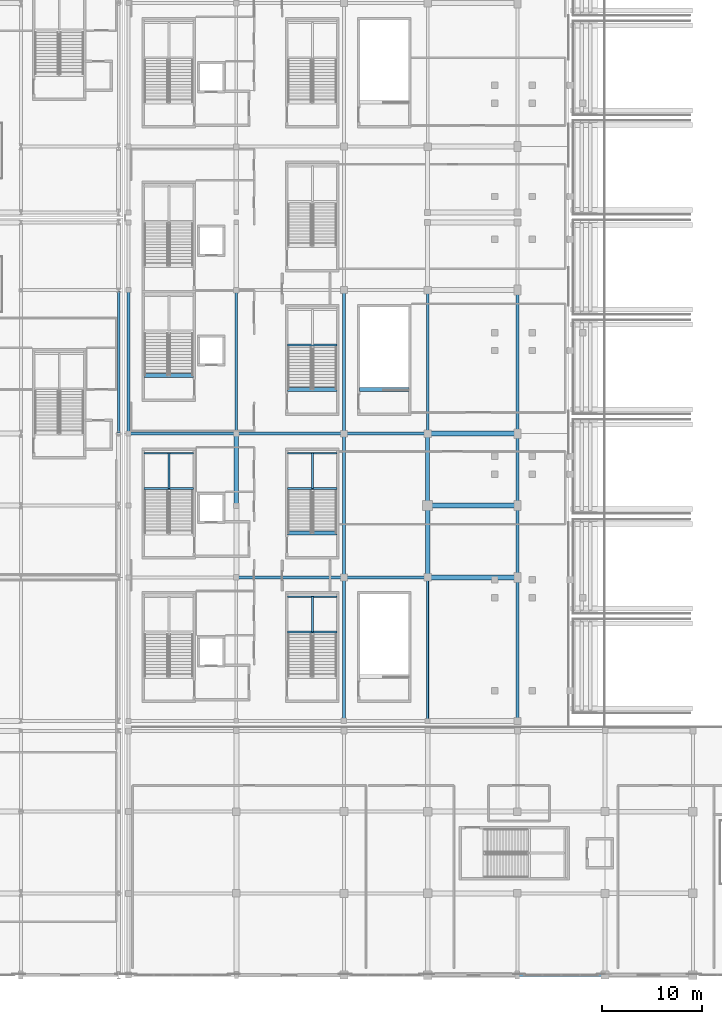
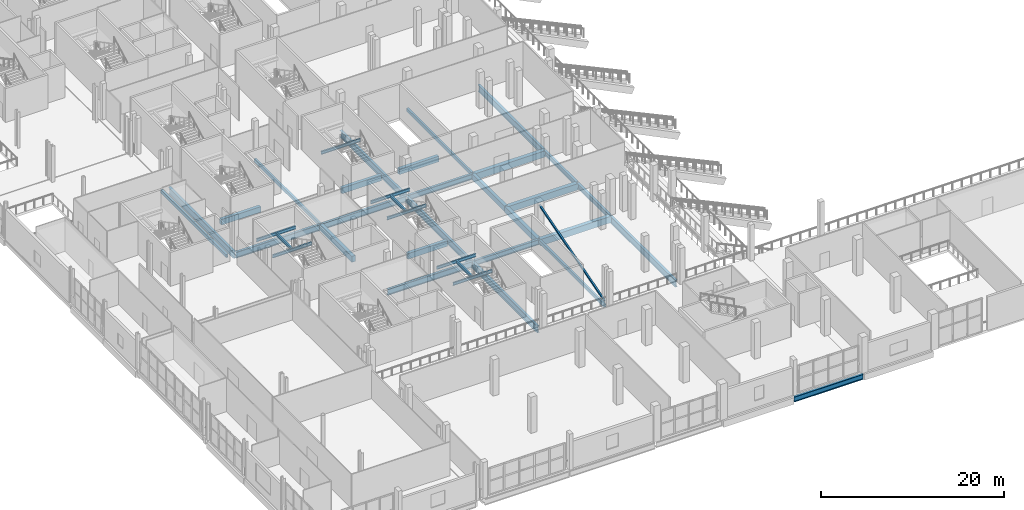
# One storey, part 21 of 129: 38 beams, 1 member.
"""IFC4 building model written with IfcOpenShell, lengths in metres."""

from ifc_helpers import new_model, si_unit, direction, frame, origin, origin_2d, place, context, subcontext, project, spatial, rectangle, hollow_rectangle, i_section, extrude, material, material_profile, profile_set, type_object, element, save


model = new_model("IFC4")

# Units and contexts
model_context = context("Model", 3, precision=1e-05, world=origin(), true_north=direction((0.0, 1.0)))
body_context = subcontext(model_context, "Body", "Model", "MODEL_VIEW")
ifc_project = project(units=[si_unit("LENGTHUNIT", "METRE"), si_unit("AREAUNIT", "SQUARE_METRE"), si_unit("VOLUMEUNIT", "CUBIC_METRE"), si_unit("PLANEANGLEUNIT", "RADIAN"), si_unit("MASSUNIT", "GRAM", prefix="KILO")], contexts=[model_context])

# Site, building, storey
site_placement = place(None, origin())
site = spatial("IfcSite", under=ifc_project, at=site_placement, CompositionType="ELEMENT")
building_placement = place(site_placement, origin())
building = spatial("IfcBuilding", under=site, at=building_placement, Name="Koshinbarg Plaza Stadium", CompositionType="ELEMENT")
storey_placement = place(building_placement, frame((0.0, 0.0, 5.39990234375)))
storey = spatial("IfcBuildingStorey", under=building, at=storey_placement, Name="L01", CompositionType="ELEMENT", Elevation=5.39990234375)

# Beams
ifc_material_1 = material(Name="Concrete C40/50", Category="concrete")
ifc_material_profile_1 = material_profile(ifc_material_1, rectangle(XDim=0.39990234375, YDim=0.75, at=origin_2d()), Name="RC 400x750")
ifc_profile_set_1 = profile_set([ifc_material_profile_1], Name="Concrete C40/50")
beam_type_1 = type_object("IfcBeamType", Name="BM-RCG-03", PredefinedType="USERDEFINED", material=ifc_profile_set_1)
beam_1_placement = place(storey_placement, frame((54.60009765625, 47.159912109375, -0.69482421875), z_axis=(0.0, 1.0, 0.0), x_axis=(-1.0, 0.0, 0.0)))
element("IfcBeam", 1, at=beam_1_placement, inside=storey, type_object=beam_type_1, Name="L01 Y girder 8/G-H", ObjectType="GIRDER", PredefinedType="USERDEFINED", context=body_context, shape_type="SweptSolid", body=[
    extrude(rectangle(XDim=0.39990234375, YDim=0.75, at=origin_2d()), origin(), (0.0, 0.0, 1.0), 7.080078125),
])
beam_2_placement = place(storey_placement, frame((26.14990234375, 60.159912109375, -0.375), z_axis=(1.0, 0.0, 0.0), x_axis=(0.0, 1.0, 0.0)))
element("IfcBeam", 2, at=beam_2_placement, inside=storey, type_object=beam_type_1, Name="L01 stair landing header beam C03", ObjectType="GIRDER", PredefinedType="USERDEFINED", context=body_context, shape_type="SweptSolid", body=[
    extrude(rectangle(XDim=0.39990234375, YDim=0.75, at=origin_2d()), origin(), (0.0, 0.0, 1.0), 4.97021484375),
])
for number, where, z_axis, x_axis, name in (
    (3, (40.550048828125, 44.360107421875, -0.375), (1.0, 0.0, 0.0), (0.0, 1.0, 0.0), "L01 stair landing header beam VX02"),
    (4, (40.550048828125, 58.760009765625, -0.375), (1.0, 0.0, 0.0), (0.0, 1.0, 0.0), "L01 stair landing header beam VX03"),
    (5, (47.75, 58.760009765625, -0.375), (1.0, 0.0, 0.0), (0.0, 1.0, 0.0), "L01 stair landing header beam VL02"),
):
    element("IfcBeam", number, at=place(storey_placement, frame(where, z_axis=z_axis, x_axis=x_axis)), inside=storey, type_object=beam_type_1, Name=name, ObjectType="GIRDER", PredefinedType="USERDEFINED", context=body_context, shape_type="SweptSolid", body=[
        extrude(rectangle(XDim=0.39990234375, YDim=0.75, at=origin_2d()), origin(), (0.0, 0.0, 1.0), 4.969970703125),
    ])
ifc_material_profile_2 = material_profile(ifc_material_1, rectangle(XDim=0.449951171875, YDim=0.800048828125, at=origin_2d()), Name="RC 450x800")
ifc_profile_set_2 = profile_set([ifc_material_profile_2], Name="Concrete C40/50")
beam_type_2 = type_object("IfcBeamType", Name="BM-RCG-04", PredefinedType="USERDEFINED", material=ifc_profile_set_2)
for number, where, z_axis, x_axis, name in (
    (6, (35.39990234375, 47.159912109375, -0.719970703125), (0.0, 1.0, 0.0), (-1.0, 0.0, 0.0), "L01 Y girder 6/G-H"),
    (7, (54.60009765625, 39.9599609375, -0.719970703125), (0.0, 1.0, 0.0), (-1.0, 0.0, 0.0), "L01 Y girder 8/F-G"),
):
    element("IfcBeam", number, at=place(storey_placement, frame(where, z_axis=z_axis, x_axis=x_axis)), inside=storey, type_object=beam_type_2, Name=name, ObjectType="GIRDER", PredefinedType="USERDEFINED", context=body_context, shape_type="SweptSolid", body=[
        extrude(rectangle(XDim=0.449951171875, YDim=0.800048828125, at=origin_2d()), origin(), (0.0, 0.0, 1.0), 7.080078125),
    ])
ifc_material_profile_3 = material_profile(ifc_material_1, rectangle(XDim=0.5, YDim=0.85009765625, at=origin_2d()), Name="RC 500x850")
ifc_profile_set_3 = profile_set([ifc_material_profile_3], Name="Concrete C40/50")
beam_type_3 = type_object("IfcBeamType", Name="BM-RCG-05", PredefinedType="USERDEFINED", material=ifc_profile_set_3)
for number, where, z_axis, x_axis, name in (
    (8, (54.659912109375, 39.89990234375, -0.744873046875), (1.0, 0.0, 0.0), (0.0, 1.0, 0.0), "L01 X girder F/8-9"),
    (9, (54.659912109375, 47.10009765625, -0.744873046875), (1.0, 0.0, 0.0), (0.0, 1.0, 0.0), "L01 X girder G/8-9"),
    (10, (54.659912109375, 54.300048828125, -0.744873046875), (1.0, 0.0, 0.0), (0.0, 1.0, 0.0), "L01 X girder H/8-9"),
):
    element("IfcBeam", number, at=place(storey_placement, frame(where, z_axis=z_axis, x_axis=x_axis)), inside=storey, type_object=beam_type_3, Name=name, ObjectType="GIRDER", PredefinedType="USERDEFINED", context=body_context, shape_type="SweptSolid", body=[
        extrude(rectangle(XDim=0.5, YDim=0.85009765625, at=origin_2d()), origin(), (0.0, 0.0, 1.0), 8.880126953125),
    ])
ifc_material_2 = material(Name="Steel S355", Category="steel")
ifc_material_profile_4 = material_profile(ifc_material_2, i_section(OverallWidth=0.179931640625, OverallDepth=0.39990234375, WebThickness=0.008544921875, FlangeThickness=0.013427734375, at=origin_2d()), Name="IPE 400")
ifc_profile_set_4 = profile_set([ifc_material_profile_4], Name="Steel S355")
beam_type_4 = type_object("IfcBeamType", Name="BM-SBM-01", PredefinedType="BEAM", material=ifc_profile_set_4)
for number, where, z_axis, x_axis, name in (
    (11, (26.14990234375, 48.81005859375, 1.880126953125), (1.0, 0.0, 0.0), (0.0, 1.0, 0.0), "L01 Protected Exit Stair C02 landing trimmer beam 1"),
    (12, (26.14990234375, 52.35009765625, 1.880126953125), (1.0, 0.0, 0.0), (0.0, 1.0, 0.0), "L01 Protected Exit Stair C02 landing trimmer beam 2"),
):
    element("IfcBeam", number, at=place(storey_placement, frame(where, z_axis=z_axis, x_axis=x_axis)), inside=storey, type_object=beam_type_4, Name=name, PredefinedType="BEAM", context=body_context, shape_type="SweptSolid", body=[
        extrude(i_section(OverallWidth=0.179931640625, OverallDepth=0.39990234375, WebThickness=0.008544921875, FlangeThickness=0.013427734375, at=origin_2d()), origin(), (0.0, 0.0, 1.0), 4.97021484375),
    ])
beam_3_placement = place(storey_placement, frame((28.635009765625, 48.81005859375, 1.880126953125), z_axis=(0.0, 1.0, 0.0), x_axis=(-1.0, 0.0, 0.0)))
element("IfcBeam", 13, at=beam_3_placement, inside=storey, type_object=beam_type_4, Name="L01 Protected Exit Stair C02 landing trimmer beam 3", PredefinedType="BEAM", context=body_context, shape_type="SweptSolid", body=[
    extrude(i_section(OverallWidth=0.179931640625, OverallDepth=0.39990234375, WebThickness=0.008544921875, FlangeThickness=0.013427734375, at=origin_2d()), origin(), (0.0, 0.0, 1.0), 3.5400390625),
])
for number, where, z_axis, x_axis, name in (
    (14, (40.550048828125, 34.409912109375, 1.880126953125), (1.0, 0.0, 0.0), (0.0, 1.0, 0.0), "L01 Upper Vomitory Stair VX01 landing trimmer beam 1"),
    (15, (40.550048828125, 37.949951171875, 1.880126953125), (1.0, 0.0, 0.0), (0.0, 1.0, 0.0), "L01 Upper Vomitory Stair VX01 landing trimmer beam 2"),
):
    element("IfcBeam", number, at=place(storey_placement, frame(where, z_axis=z_axis, x_axis=x_axis)), inside=storey, type_object=beam_type_4, Name=name, PredefinedType="BEAM", context=body_context, shape_type="SweptSolid", body=[
        extrude(i_section(OverallWidth=0.179931640625, OverallDepth=0.39990234375, WebThickness=0.008544921875, FlangeThickness=0.013427734375, at=origin_2d()), origin(), (0.0, 0.0, 1.0), 4.969970703125),
    ])
beam_4_placement = place(storey_placement, frame((43.034912109375, 34.409912109375, 1.880126953125), z_axis=(0.0, 1.0, 0.0), x_axis=(-1.0, 0.0, 0.0)))
element("IfcBeam", 16, at=beam_4_placement, inside=storey, type_object=beam_type_4, Name="L01 Upper Vomitory Stair VX01 landing trimmer beam 3", PredefinedType="BEAM", context=body_context, shape_type="SweptSolid", body=[
    extrude(i_section(OverallWidth=0.179931640625, OverallDepth=0.39990234375, WebThickness=0.008544921875, FlangeThickness=0.013427734375, at=origin_2d()), origin(), (0.0, 0.0, 1.0), 3.5400390625),
])
for number, where, z_axis, x_axis, name in (
    (17, (40.550048828125, 48.81005859375, 1.880126953125), (1.0, 0.0, 0.0), (0.0, 1.0, 0.0), "L01 Upper Vomitory Stair VX02 landing trimmer beam 1"),
    (18, (40.550048828125, 52.35009765625, 1.880126953125), (1.0, 0.0, 0.0), (0.0, 1.0, 0.0), "L01 Upper Vomitory Stair VX02 landing trimmer beam 2"),
):
    element("IfcBeam", number, at=place(storey_placement, frame(where, z_axis=z_axis, x_axis=x_axis)), inside=storey, type_object=beam_type_4, Name=name, PredefinedType="BEAM", context=body_context, shape_type="SweptSolid", body=[
        extrude(i_section(OverallWidth=0.179931640625, OverallDepth=0.39990234375, WebThickness=0.008544921875, FlangeThickness=0.013427734375, at=origin_2d()), origin(), (0.0, 0.0, 1.0), 4.969970703125),
    ])
beam_5_placement = place(storey_placement, frame((43.034912109375, 48.81005859375, 1.880126953125), z_axis=(0.0, 1.0, 0.0), x_axis=(-1.0, 0.0, 0.0)))
element("IfcBeam", 19, at=beam_5_placement, inside=storey, type_object=beam_type_4, Name="L01 Upper Vomitory Stair VX02 landing trimmer beam 3", PredefinedType="BEAM", context=body_context, shape_type="SweptSolid", body=[
    extrude(i_section(OverallWidth=0.179931640625, OverallDepth=0.39990234375, WebThickness=0.008544921875, FlangeThickness=0.013427734375, at=origin_2d()), origin(), (0.0, 0.0, 1.0), 3.5400390625),
])
beam_6_placement = place(storey_placement, frame((40.550048828125, 63.2099609375, 1.880126953125), z_axis=(1.0, 0.0, 0.0), x_axis=(0.0, 1.0, 0.0)))
element("IfcBeam", 20, at=beam_6_placement, inside=storey, type_object=beam_type_4, Name="L01 Upper Vomitory Stair VX03 landing trimmer beam 1", PredefinedType="BEAM", context=body_context, shape_type="SweptSolid", body=[
    extrude(i_section(OverallWidth=0.179931640625, OverallDepth=0.39990234375, WebThickness=0.008544921875, FlangeThickness=0.013427734375, at=origin_2d()), origin(), (0.0, 0.0, 1.0), 4.969970703125),
])
ifc_material_profile_5 = material_profile(ifc_material_2, i_section(OverallWidth=0.300048828125, OverallDepth=0.60009765625, WebThickness=0.015380859375, FlangeThickness=0.030029296875, at=origin_2d()), Name="HEB 600")
ifc_profile_set_5 = profile_set([ifc_material_profile_5], Name="Steel S355")
beam_type_5 = type_object("IfcBeamType", Name="BM-SGIR-02", PredefinedType="USERDEFINED", material=ifc_profile_set_5)
for number, where, z_axis, x_axis, name in (
    (21, (63.60009765625, 39.9599609375, -0.619873046875), (0.0, 1.0, 0.0), (-1.0, 0.0, 0.0), "L01 Y girder 9/F-G"),
    (22, (63.60009765625, 47.159912109375, -0.619873046875), (0.0, 1.0, 0.0), (-1.0, 0.0, 0.0), "L01 Y girder 9/G-H"),
):
    element("IfcBeam", number, at=place(storey_placement, frame(where, z_axis=z_axis, x_axis=x_axis)), inside=storey, type_object=beam_type_5, Name=name, ObjectType="GIRDER", PredefinedType="USERDEFINED", context=body_context, shape_type="SweptSolid", body=[
        extrude(i_section(OverallWidth=0.300048828125, OverallDepth=0.60009765625, WebThickness=0.015380859375, FlangeThickness=0.030029296875, at=origin_2d()), origin(), (0.0, 0.0, 1.0), 7.080078125),
    ])
ifc_material_profile_6 = material_profile(ifc_material_2, i_section(OverallWidth=0.300048828125, OverallDepth=0.699951171875, WebThickness=0.01708984375, FlangeThickness=0.031982421875, at=origin_2d()), Name="HEB 700")
ifc_profile_set_6 = profile_set([ifc_material_profile_6], Name="Steel S355")
beam_type_6 = type_object("IfcBeamType", Name="BM-SGIR-03", PredefinedType="USERDEFINED", material=ifc_profile_set_6)
beam_7_placement = place(storey_placement, frame((63.659912109375, 0.0, -0.669921875), z_axis=(1.0, 0.0, 0.0), x_axis=(0.0, 1.0, 0.0)))
element("IfcBeam", 23, at=beam_7_placement, inside=storey, type_object=beam_type_6, Name="L01 X girder A/9-10", ObjectType="GIRDER", PredefinedType="USERDEFINED", context=body_context, shape_type="SweptSolid", body=[
    extrude(i_section(OverallWidth=0.300048828125, OverallDepth=0.699951171875, WebThickness=0.01708984375, FlangeThickness=0.031982421875, at=origin_2d()), origin(), (0.0, 0.0, 1.0), 8.68017578125),
])
for number, where, z_axis, x_axis, name in (
    (24, (46.260009765625, 39.89990234375, -0.669921875), (1.0, 0.0, 0.0), (0.0, 1.0, 0.0), "L01 X girder F/7-8"),
    (25, (46.260009765625, 54.300048828125, -0.669921875), (1.0, 0.0, 0.0), (0.0, 1.0, 0.0), "L01 X girder H/7-8"),
):
    element("IfcBeam", number, at=place(storey_placement, frame(where, z_axis=z_axis, x_axis=x_axis)), inside=storey, type_object=beam_type_6, Name=name, ObjectType="GIRDER", PredefinedType="USERDEFINED", context=body_context, shape_type="SweptSolid", body=[
        extrude(i_section(OverallWidth=0.300048828125, OverallDepth=0.699951171875, WebThickness=0.01708984375, FlangeThickness=0.031982421875, at=origin_2d()), origin(), (0.0, 0.0, 1.0), 8.280029296875),
    ])
ifc_material_profile_7 = material_profile(ifc_material_2, i_section(OverallWidth=0.300048828125, OverallDepth=0.800048828125, WebThickness=0.017578125, FlangeThickness=0.032958984375, at=origin_2d()), Name="HEB 800")
ifc_profile_set_7 = profile_set([ifc_material_profile_7], Name="Steel S355")
beam_type_7 = type_object("IfcBeamType", Name="BM-SGIR-04", PredefinedType="USERDEFINED", material=ifc_profile_set_7)
beam_8_placement = place(storey_placement, frame((35.4599609375, 39.89990234375, -0.719970703125), z_axis=(1.0, 0.0, 0.0), x_axis=(0.0, 1.0, 0.0)))
element("IfcBeam", 26, at=beam_8_placement, inside=storey, type_object=beam_type_7, Name="L01 X girder F/6-7", ObjectType="GIRDER", PredefinedType="USERDEFINED", context=body_context, shape_type="SweptSolid", body=[
    extrude(i_section(OverallWidth=0.300048828125, OverallDepth=0.800048828125, WebThickness=0.017578125, FlangeThickness=0.032958984375, at=origin_2d()), origin(), (0.0, 0.0, 1.0), 10.679931640625),
])
beam_9_placement = place(storey_placement, frame((24.659912109375, 54.300048828125, -0.719970703125), z_axis=(1.0, 0.0, 0.0), x_axis=(0.0, 1.0, 0.0)))
element("IfcBeam", 27, at=beam_9_placement, inside=storey, type_object=beam_type_7, Name="L01 X girder H/5-6", ObjectType="GIRDER", PredefinedType="USERDEFINED", context=body_context, shape_type="SweptSolid", body=[
    extrude(i_section(OverallWidth=0.300048828125, OverallDepth=0.800048828125, WebThickness=0.017578125, FlangeThickness=0.032958984375, at=origin_2d()), origin(), (0.0, 0.0, 1.0), 10.68017578125),
])
beam_10_placement = place(storey_placement, frame((35.4599609375, 54.300048828125, -0.719970703125), z_axis=(1.0, 0.0, 0.0), x_axis=(0.0, 1.0, 0.0)))
element("IfcBeam", 28, at=beam_10_placement, inside=storey, type_object=beam_type_7, Name="L01 X girder H/6-7", ObjectType="GIRDER", PredefinedType="USERDEFINED", context=body_context, shape_type="SweptSolid", body=[
    extrude(i_section(OverallWidth=0.300048828125, OverallDepth=0.800048828125, WebThickness=0.017578125, FlangeThickness=0.032958984375, at=origin_2d()), origin(), (0.0, 0.0, 1.0), 10.679931640625),
])
ifc_material_profile_8 = material_profile(ifc_material_2, i_section(OverallWidth=0.300048828125, OverallDepth=0.89990234375, WebThickness=0.0185546875, FlangeThickness=0.034912109375, at=origin_2d()), Name="HEB 900")
ifc_profile_set_8 = profile_set([ifc_material_profile_8], Name="Steel S355")
beam_type_8 = type_object("IfcBeamType", Name="BM-SGIR-05", PredefinedType="USERDEFINED", material=ifc_profile_set_8)
beam_11_placement = place(storey_placement, frame((24.60009765625, 54.360107421875, -0.77001953125), z_axis=(0.0, 1.0, 0.0), x_axis=(-1.0, 0.0, 0.0)))
element("IfcBeam", 29, at=beam_11_placement, inside=storey, type_object=beam_type_8, Name="L01 Y girder 5/H-J", ObjectType="GIRDER", PredefinedType="USERDEFINED", context=body_context, shape_type="SweptSolid", body=[
    extrude(i_section(OverallWidth=0.300048828125, OverallDepth=0.89990234375, WebThickness=0.0185546875, FlangeThickness=0.034912109375, at=origin_2d()), origin(), (0.0, 0.0, 1.0), 14.27978515625),
])
for number, where, z_axis, x_axis, name in (
    (30, (46.199951171875, 25.56005859375, -0.77001953125), (0.0, 1.0, 0.0), (-1.0, 0.0, 0.0), "L01 Y girder 7/E-F"),
    (31, (46.199951171875, 39.9599609375, -0.77001953125), (0.0, 1.0, 0.0), (-1.0, 0.0, 0.0), "L01 Y girder 7/F-H"),
):
    element("IfcBeam", number, at=place(storey_placement, frame(where, z_axis=z_axis, x_axis=x_axis)), inside=storey, type_object=beam_type_8, Name=name, ObjectType="GIRDER", PredefinedType="USERDEFINED", context=body_context, shape_type="SweptSolid", body=[
        extrude(i_section(OverallWidth=0.300048828125, OverallDepth=0.89990234375, WebThickness=0.0185546875, FlangeThickness=0.034912109375, at=origin_2d()), origin(), (0.0, 0.0, 1.0), 14.280029296875),
    ])
beam_12_placement = place(storey_placement, frame((46.199951171875, 54.360107421875, -0.77001953125), z_axis=(0.0, 1.0, 0.0), x_axis=(-1.0, 0.0, 0.0)))
element("IfcBeam", 32, at=beam_12_placement, inside=storey, type_object=beam_type_8, Name="L01 Y girder 7/H-J", ObjectType="GIRDER", PredefinedType="USERDEFINED", context=body_context, shape_type="SweptSolid", body=[
    extrude(i_section(OverallWidth=0.300048828125, OverallDepth=0.89990234375, WebThickness=0.0185546875, FlangeThickness=0.034912109375, at=origin_2d()), origin(), (0.0, 0.0, 1.0), 14.27978515625),
])
beam_13_placement = place(storey_placement, frame((63.60009765625, 25.56005859375, -0.77001953125), z_axis=(0.0, 1.0, 0.0), x_axis=(-1.0, 0.0, 0.0)))
element("IfcBeam", 33, at=beam_13_placement, inside=storey, type_object=beam_type_8, Name="L01 Y girder 9/E-F", ObjectType="GIRDER", PredefinedType="USERDEFINED", context=body_context, shape_type="SweptSolid", body=[
    extrude(i_section(OverallWidth=0.300048828125, OverallDepth=0.89990234375, WebThickness=0.0185546875, FlangeThickness=0.034912109375, at=origin_2d()), origin(), (0.0, 0.0, 1.0), 14.280029296875),
])
beam_14_placement = place(storey_placement, frame((63.60009765625, 54.360107421875, -0.77001953125), z_axis=(0.0, 1.0, 0.0), x_axis=(-1.0, 0.0, 0.0)))
element("IfcBeam", 34, at=beam_14_placement, inside=storey, type_object=beam_type_8, Name="L01 Y girder 9/H-J", ObjectType="GIRDER", PredefinedType="USERDEFINED", context=body_context, shape_type="SweptSolid", body=[
    extrude(i_section(OverallWidth=0.300048828125, OverallDepth=0.89990234375, WebThickness=0.0185546875, FlangeThickness=0.034912109375, at=origin_2d()), origin(), (0.0, 0.0, 1.0), 14.27978515625),
])
ifc_material_profile_9 = material_profile(ifc_material_2, hollow_rectangle(XDim=0.25, YDim=0.449951171875, WallThickness=0.01611328125, at=origin_2d()), Name="RHS 450x250x16")
ifc_profile_set_9 = profile_set([ifc_material_profile_9], Name="Steel S355")
beam_type_9 = type_object("IfcBeamType", Name="BM-SGIR-06", PredefinedType="USERDEFINED", material=ifc_profile_set_9)
for number, where, z_axis, x_axis, name in (
    (35, (23.60009765625, 54.360107421875, -0.544921875), (0.0, 1.0, 0.0), (-1.0, 0.0, 0.0), "L01 Y girder 4/H-J"),
    (36, (35.39990234375, 54.360107421875, -0.544921875), (0.0, 1.0, 0.0), (-1.0, 0.0, 0.0), "L01 Y girder 6/H-J"),
):
    element("IfcBeam", number, at=place(storey_placement, frame(where, z_axis=z_axis, x_axis=x_axis)), inside=storey, type_object=beam_type_9, Name=name, ObjectType="GIRDER", PredefinedType="USERDEFINED", context=body_context, shape_type="SweptSolid", body=[
        extrude(hollow_rectangle(XDim=0.25, YDim=0.449951171875, WallThickness=0.01611328125, at=origin_2d()), origin(), (0.0, 0.0, 1.0), 14.27978515625),
    ])
beam_15_placement = place(storey_placement, frame((54.60009765625, 25.56005859375, -0.544921875), z_axis=(0.0, 1.0, 0.0), x_axis=(-1.0, 0.0, 0.0)))
element("IfcBeam", 37, at=beam_15_placement, inside=storey, type_object=beam_type_9, Name="L01 Y girder 8/E-F", ObjectType="GIRDER", PredefinedType="USERDEFINED", context=body_context, shape_type="SweptSolid", body=[
    extrude(hollow_rectangle(XDim=0.25, YDim=0.449951171875, WallThickness=0.01611328125, at=origin_2d()), origin(), (0.0, 0.0, 1.0), 14.280029296875),
])
beam_16_placement = place(storey_placement, frame((54.60009765625, 54.360107421875, -0.544921875), z_axis=(0.0, 1.0, 0.0), x_axis=(-1.0, 0.0, 0.0)))
element("IfcBeam", 38, at=beam_16_placement, inside=storey, type_object=beam_type_9, Name="L01 Y girder 8/H-J", ObjectType="GIRDER", PredefinedType="USERDEFINED", context=body_context, shape_type="SweptSolid", body=[
    extrude(hollow_rectangle(XDim=0.25, YDim=0.449951171875, WallThickness=0.01611328125, at=origin_2d()), origin(), (0.0, 0.0, 1.0), 14.27978515625),
])

# Member
ifc_material_profile_10 = material_profile(ifc_material_2, hollow_rectangle(XDim=0.199951171875, YDim=0.199951171875, WallThickness=0.010009765625, at=origin_2d()), Name="SHS 200x200x10")
ifc_profile_set_10 = profile_set([ifc_material_profile_10], Name="Steel S355")
member_type = type_object("IfcMemberType", Name="MB-BRACE-06", PredefinedType="BRACE", material=ifc_profile_set_10)
member_placement = place(storey_placement, frame((54.60009765625, 25.580078125, 0.050048828125), z_axis=(0.0, 0.960057681506, 0.279802158999), x_axis=(-1.0, 0.0, 0.0)))
element("IfcMember", 39, at=member_placement, inside=storey, type_object=member_type, Name="L01 lateral frame brace 5", PredefinedType="BRACE", context=body_context, shape_type="SweptSolid", body=[
    extrude(hollow_rectangle(XDim=0.199951171875, YDim=0.199951171875, WallThickness=0.010009765625, at=origin_2d()), origin(), (0.0, 0.0, 1.0), 14.83251953125),
])

save(model, "model.ifc")
